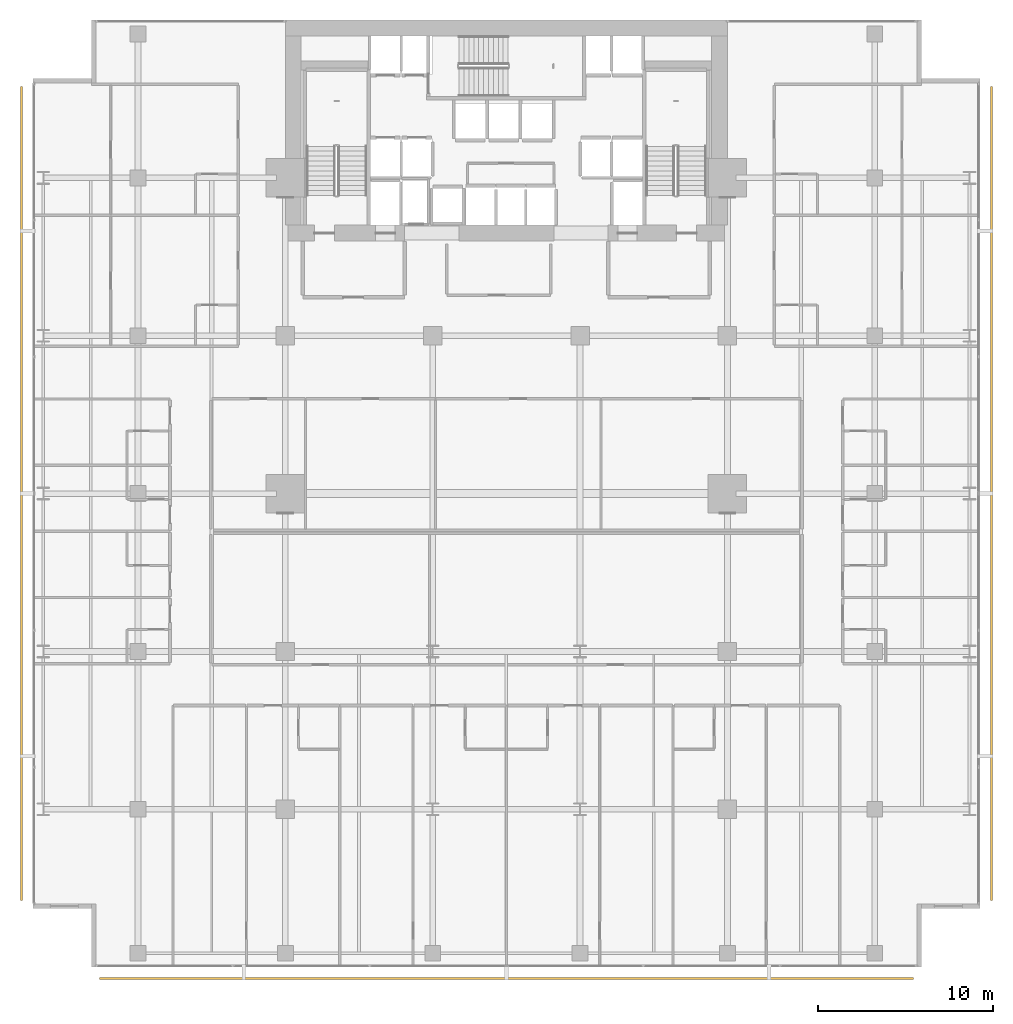
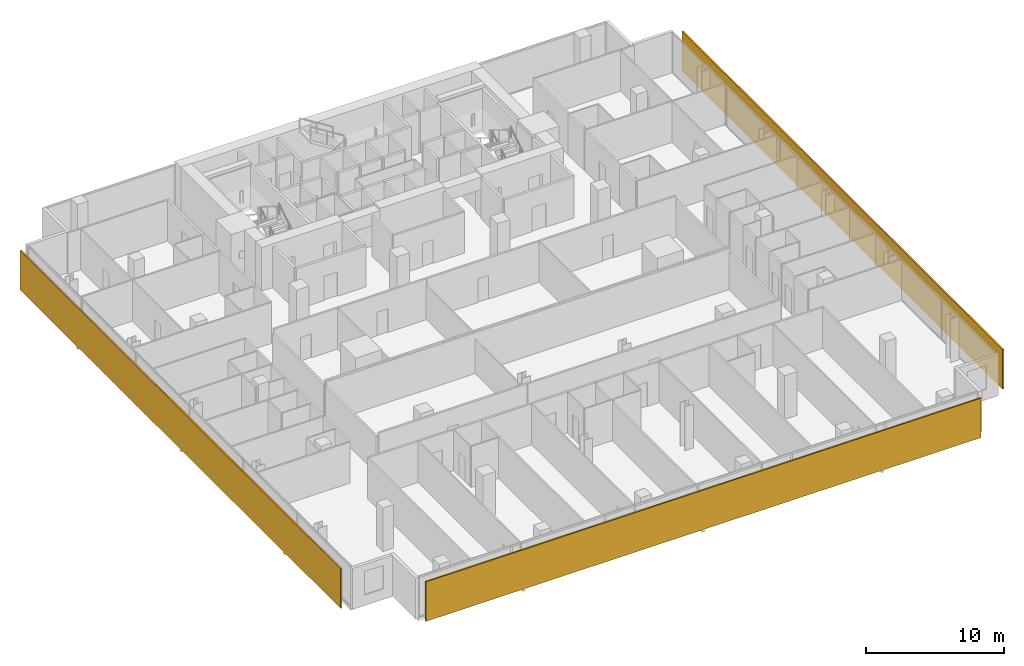
# One storey, part 39 of 40: 3 shading devices.
"""IFC4 building model written with IfcOpenShell, lengths in metres."""

from ifc_helpers import new_model, si_unit, direction, frame, origin, origin_2d, place, context, subcontext, project, spatial, rectangle, extrude, material, layer, layer_set, type_object, element, save


model = new_model("IFC4")

# Units and contexts
model_context = context("Model", 3, precision=1e-05, world=origin(), true_north=direction((0.0, 1.0)))
body_context = subcontext(model_context, "Body", "Model", "MODEL_VIEW")
ifc_project = project(units=[si_unit("LENGTHUNIT", "METRE"), si_unit("AREAUNIT", "SQUARE_METRE"), si_unit("VOLUMEUNIT", "CUBIC_METRE"), si_unit("PLANEANGLEUNIT", "RADIAN"), si_unit("MASSUNIT", "GRAM", prefix="KILO")], contexts=[model_context])

# Site, building, storey
site_placement = place(None, origin())
site = spatial("IfcSite", under=ifc_project, at=site_placement, CompositionType="ELEMENT")
building_placement = place(site_placement, origin())
building = spatial("IfcBuilding", under=site, at=building_placement, Name="Maruvema Waterfront Hotel and Observation Tower", CompositionType="ELEMENT")
storey_placement = place(building_placement, frame((0.0, 0.0, 100.10009765625)))
storey = spatial("IfcBuildingStorey", under=building, at=storey_placement, Name="L24", CompositionType="ELEMENT", Elevation=100.10009765625)

# Shading devices
ifc_material = material(Name="Honed travertine stone and anodised architectural bronze", Category="masonry")
ifc_layer = layer(ifc_material, 0.1201171875, Name="Ventilated Outer Skin Cobogo Stone-and-Bronze Screen 120 mm")
ifc_layer_set = layer_set([ifc_layer], Name="Honed travertine stone and anodised architectural bronze")
shading_device_type = type_object("IfcShadingDeviceType", Name="Ventilated Outer Skin Cobogo Stone-and-Bronze Screen 120 mm", PredefinedType="USERDEFINED", material=ifc_layer_set)
for number, where, z_axis, x_axis, name in (
    (1, (37.800048828125, -0.64990234375, 0.06005859375), (0.0, 0.0, 1.0), (1.0, 0.0, 0.0), "L24 Ventilated Double-Skin Outer Cobogo Screen OS-L24-S"),
    (2, (65.449951171875, 27.0, 0.06005859375), (0.0, 0.0, 1.0), (0.0, 1.0, 0.0), "L24 Ventilated Double-Skin Outer Cobogo Screen OS-L24-E"),
    (3, (10.14990234375, 27.0, 0.06005859375), (0.0, 0.0, 1.0), (0.0, -1.0, 0.0), "L24 Ventilated Double-Skin Outer Cobogo Screen OS-L24-W"),
):
    element("IfcShadingDevice", number, at=place(storey_placement, frame(where, z_axis=z_axis, x_axis=x_axis)), inside=storey, type_object=shading_device_type, Name=name, ObjectType="OUTER SKIN SCREEN", PredefinedType="USERDEFINED", context=body_context, shape_type="SweptSolid", body=[
        extrude(rectangle(XDim=46.39990234375, YDim=0.1201171875, at=origin_2d()), origin(), (0.0, 0.0, 1.0), 3.489990234375),
    ])

save(model, "model.ifc")
